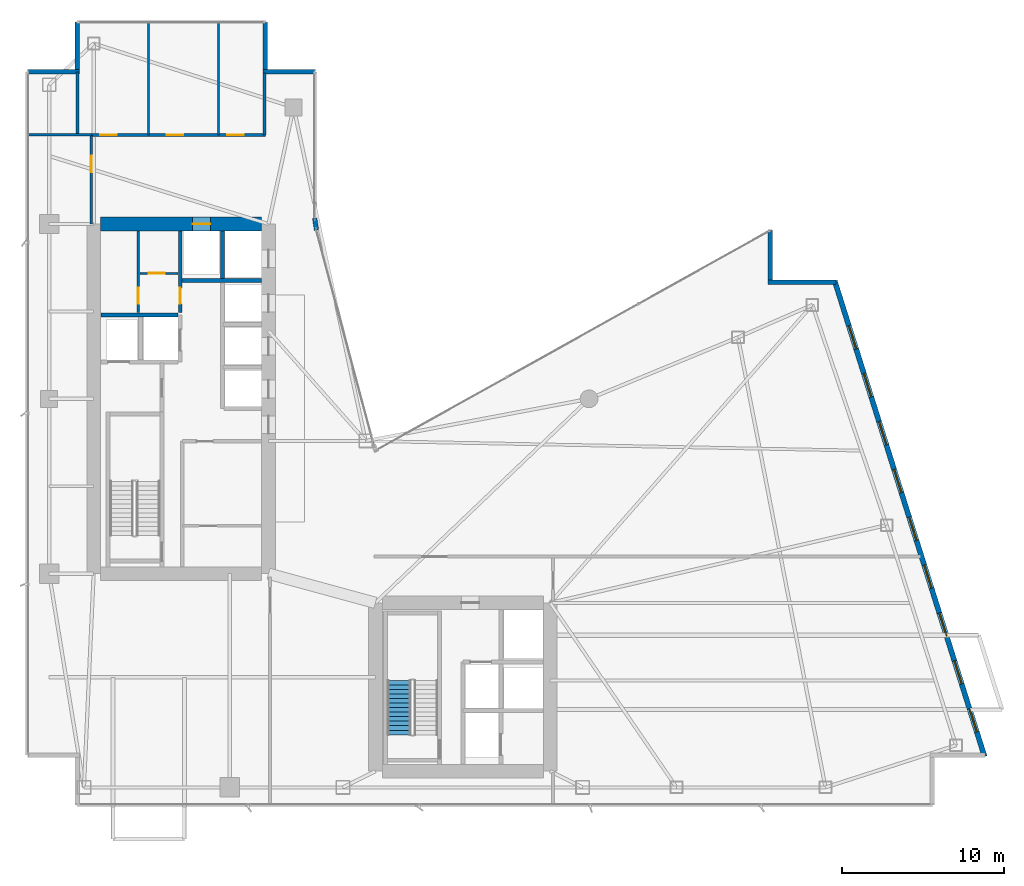
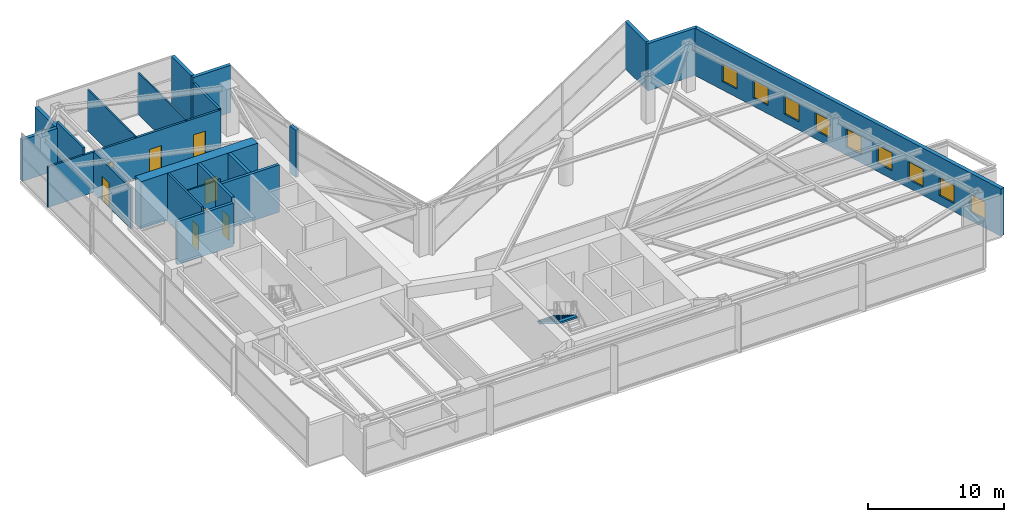
# One storey, part 22 of 26: 22 walls, 9 windows, 8 doors, 1 stair flight, 17 openings, 1 element without a shape of its own.
"""IFC4 building model written with IfcOpenShell, lengths in metres."""

from ifc_helpers import new_model, si_unit, direction, frame, frame_2d, origin, place, context, subcontext, project, spatial, polyline, rectangle, outline, extrude, material, layer, layer_set, type_object, element, fill, aggregate, save


model = new_model("IFC4")

# Units and contexts
model_context = context("Model", 3, precision=1e-05, world=origin(), true_north=direction((0.0, 1.0)))
body_context = subcontext(model_context, "Body", "Model", "MODEL_VIEW")
ifc_project = project(units=[si_unit("LENGTHUNIT", "METRE"), si_unit("AREAUNIT", "SQUARE_METRE"), si_unit("VOLUMEUNIT", "CUBIC_METRE"), si_unit("PLANEANGLEUNIT", "RADIAN"), si_unit("MASSUNIT", "GRAM", prefix="KILO")], contexts=[model_context])

# Site, building, storey
site_placement = place(None, origin())
site = spatial("IfcSite", under=ifc_project, at=site_placement, CompositionType="ELEMENT")
building_placement = place(site_placement, origin())
building = spatial("IfcBuilding", under=site, at=building_placement, Name="Calvorn Quay Hotel", CompositionType="ELEMENT")
storey_placement = place(building_placement, frame((0.0, 0.0, 144.0)))
storey = spatial("IfcBuildingStorey", under=building, at=storey_placement, Name="L35", CompositionType="ELEMENT", Elevation=144.0)

# Wall, opening, door
ifc_material_1 = material(Name="Concrete C50", Category="concrete")
ifc_layer_1 = layer(ifc_material_1, 0.85009765625)
ifc_layer_set_1 = layer_set([ifc_layer_1], Name="WL-CORE-850")
wall_type_1 = type_object("IfcWallType", Name="WL-CORE-850", PredefinedType="SHEAR", material=ifc_layer_set_1)
wall_1_placement = place(storey_placement, frame((4.625, 38.39990234375, 0.0), z_axis=(0.0, 0.0, 1.0), x_axis=(1.0, 0.0, 0.0)))
wall_1 = element("IfcWall", 1, at=wall_1_placement, inside=storey, type_object=wall_type_1, Name="West Core Shear Wall N (L35)", PredefinedType="SHEAR", context=body_context, shape_type="SweptSolid", body=[
    extrude(rectangle(XDim=9.949951171875, YDim=0.85009765625, at=frame_2d((4.97509765625, 0.0))), origin(), (0.0, 0.0, 1.0), 4.260009765625),
])
opening_1_placement = place(wall_1_placement, frame((5.679931640625, 0.0, 0.0)))
opening_1 = element("IfcOpeningElement", 2, at=opening_1_placement, cuts=wall_1, Name="Opening LD-L35-H2", PredefinedType="OPENING", context=body_context, shape_type="SweptSolid", body=[
    extrude(rectangle(XDim=1.10009765625, YDim=2.199951171875, at=frame_2d((0.550048828125, 1.10009765625))), frame((0.0, 0.43505859375, 0.0), z_axis=(0.0, -1.0, 0.0), x_axis=(1.0, 0.0, 0.0)), (0.0, 0.0, 1.0), 0.8701171875),
])
ifc_material_2 = material(Name="Brushed Stainless Steel Sliding Lift Landing Door", Category="steel")
door_type_1 = type_object("IfcDoorType", Name="DR-LIFT-PASS-1100", OperationType="NOTDEFINED", PredefinedType="DOOR", material=ifc_material_2)
door_1_placement = place(opening_1_placement, origin())
door_1 = element("IfcDoor", 3, at=door_1_placement, inside=storey, type_object=door_type_1, Name="High-Rise Lift PL-H2 Landing Door (L35)", OperationType="DOUBLE_DOOR_SLIDING", OverallHeight=2.199951171875, OverallWidth=1.10009765625, PredefinedType="DOOR", context=body_context, shape_type="SweptSolid", body=[
    extrude(rectangle(XDim=1.10009765625, YDim=2.199951171875, at=frame_2d((0.550048828125, 1.10009765625))), frame((0.0, 0.02490234375, 0.0), z_axis=(0.0, -1.0, 0.0), x_axis=(1.0, 0.0, 0.0)), (0.0, 0.0, 1.0), 0.050048828125),
])
fill(opening_1, door_1)

# Wall
ifc_material_3 = material(Name="Acoustic Fireboard Steel-Stud Partition", Category="steel")
ifc_layer_2 = layer(ifc_material_3, 0.179931640625)
ifc_layer_set_2 = layer_set([ifc_layer_2], Name="WL-CORR-FIRE-180")
wall_type_2 = type_object("IfcWallType", Name="WL-CORR-FIRE-180", PredefinedType="PARTITIONING", material=ifc_layer_set_2)
wall_2_placement = place(storey_placement, frame((3.199951171875, 43.89990234375, 0.0), z_axis=(0.0, 0.0, 1.0), x_axis=(0.0, 1.0, 0.0)))
element("IfcWall", 4, at=wall_2_placement, inside=storey, type_object=wall_type_2, Name="Partition Wall L35-WL-SK-WC-W", PredefinedType="PARTITIONING", context=body_context, shape_type="SweptSolid", body=[
    extrude(rectangle(XDim=3.900146484375, YDim=0.179931640625, at=frame_2d((1.9501953125, 0.0))), origin(), (0.0, 0.0, 1.0), 4.260009765625),
])

# Wall, openings, doors
wall_3_placement = place(storey_placement, frame((4.06005859375, 43.89990234375, 0.0), z_axis=(0.0, 0.0, 1.0), x_axis=(1.0, 0.0, 0.0)))
wall_3 = element("IfcWall", 5, at=wall_3_placement, inside=storey, type_object=wall_type_2, Name="Partition Wall L35-WL-SK-WC-S", PredefinedType="PARTITIONING", context=body_context, shape_type="SweptSolid", body=[
    extrude(rectangle(XDim=10.739990234375, YDim=0.179931640625, at=frame_2d((5.3701171875, 0.0))), origin(), (0.0, 0.0, 1.0), 3.639892578125),
])
opening_2_placement = place(wall_3_placement, frame((0.550048828125, 0.0, 0.0)))
opening_2 = element("IfcOpeningElement", 6, at=opening_2_placement, cuts=wall_3, Name="Opening D-L35-WM", PredefinedType="OPENING", context=body_context, shape_type="SweptSolid", body=[
    extrude(rectangle(XDim=1.02001953125, YDim=2.199951171875, at=frame_2d((0.510009765625, 1.10009765625))), frame((0.0, 0.099853515625, 0.0), z_axis=(0.0, -1.0, 0.0), x_axis=(1.0, 0.0, 0.0)), (0.0, 0.0, 1.0), 0.199951171875),
])
opening_3_placement = place(wall_3_placement, frame((4.64990234375, 0.0, 0.0)))
opening_3 = element("IfcOpeningElement", 7, at=opening_3_placement, cuts=wall_3, Name="Opening D-L35-WF", PredefinedType="OPENING", context=body_context, shape_type="SweptSolid", body=[
    extrude(rectangle(XDim=1.02001953125, YDim=2.199951171875, at=frame_2d((0.510009765625, 1.10009765625))), frame((0.0, 0.099853515625, 0.0), z_axis=(0.0, -1.0, 0.0), x_axis=(1.0, 0.0, 0.0)), (0.0, 0.0, 1.0), 0.199951171875),
])
opening_4_placement = place(wall_3_placement, frame((8.39990234375, 0.0, 0.0)))
opening_4 = element("IfcOpeningElement", 8, at=opening_4_placement, cuts=wall_3, Name="Opening D-L35-WA", PredefinedType="OPENING", context=body_context, shape_type="SweptSolid", body=[
    extrude(rectangle(XDim=1.02001953125, YDim=2.199951171875, at=frame_2d((0.510009765625, 1.10009765625))), frame((0.0, 0.099853515625, 0.0), z_axis=(0.0, -1.0, 0.0), x_axis=(1.0, 0.0, 0.0)), (0.0, 0.0, 1.0), 0.199951171875),
])
ifc_material_4 = material(Name="Solid-Core Walnut Veneer Hotel Fire Door")
door_type_2 = type_object("IfcDoorType", Name="DR-GUEST-ENTRY-1020", OperationType="NOTDEFINED", PredefinedType="DOOR", material=ifc_material_4)
door_2_placement = place(opening_2_placement, origin())
door_2 = element("IfcDoor", 9, at=door_2_placement, inside=storey, type_object=door_type_2, Name="Male WC Door", OperationType="SINGLE_SWING_LEFT", OverallHeight=2.199951171875, OverallWidth=1.02001953125, PredefinedType="DOOR", context=body_context, shape_type="SweptSolid", body=[
    extrude(rectangle(XDim=1.02001953125, YDim=2.199951171875, at=frame_2d((0.510009765625, 1.10009765625))), frame((0.0, 0.02490234375, 0.0), z_axis=(0.0, -1.0, 0.0), x_axis=(1.0, 0.0, 0.0)), (0.0, 0.0, 1.0), 0.050048828125),
])
fill(opening_2, door_2)
door_3_placement = place(opening_3_placement, origin())
door_3 = element("IfcDoor", 10, at=door_3_placement, inside=storey, type_object=door_type_2, Name="Female WC Door", OperationType="SINGLE_SWING_RIGHT", OverallHeight=2.199951171875, OverallWidth=1.02001953125, PredefinedType="DOOR", context=body_context, shape_type="SweptSolid", body=[
    extrude(rectangle(XDim=1.02001953125, YDim=2.199951171875, at=frame_2d((0.510009765625, 1.10009765625))), frame((0.0, 0.02490234375, 0.0), z_axis=(0.0, -1.0, 0.0), x_axis=(1.0, 0.0, 0.0)), (0.0, 0.0, 1.0), 0.050048828125),
])
fill(opening_3, door_3)
door_4_placement = place(opening_4_placement, origin())
door_4 = element("IfcDoor", 11, at=door_4_placement, inside=storey, type_object=door_type_2, Name="Accessible WC Door", OperationType="SINGLE_SWING_LEFT", OverallHeight=2.199951171875, OverallWidth=1.02001953125, PredefinedType="DOOR", context=body_context, shape_type="SweptSolid", body=[
    extrude(rectangle(XDim=1.02001953125, YDim=2.199951171875, at=frame_2d((0.510009765625, 1.10009765625))), frame((0.0, 0.02490234375, 0.0), z_axis=(0.0, -1.0, 0.0), x_axis=(1.0, 0.0, 0.0)), (0.0, 0.0, 1.0), 0.050048828125),
])
fill(opening_4, door_4)

# Wall
wall_4_placement = place(storey_placement, frame((14.75, 43.89990234375, 0.0), z_axis=(0.0, 0.0, 1.0), x_axis=(0.0, 1.0, 0.0)))
element("IfcWall", 12, at=wall_4_placement, inside=storey, type_object=wall_type_2, Name="Partition Wall L35-WL-SK-WC-E", PredefinedType="PARTITIONING", context=body_context, shape_type="SweptSolid", body=[
    extrude(rectangle(XDim=3.820068359375, YDim=0.179931640625, at=frame_2d((1.91015625, 0.0))), origin(), (0.0, 0.0, 1.0), 3.739990234375),
])

# Wall, opening, door
ifc_material_5 = material(Name="Moisture-Resistant Tile-Backed Partition")
ifc_layer_3 = layer(ifc_material_5, 0.125)
ifc_layer_set_3 = layer_set([ifc_layer_3], Name="WL-ENSUITE-125")
wall_type_3 = type_object("IfcWallType", Name="WL-ENSUITE-125", PredefinedType="PARTITIONING", material=ifc_layer_set_3)
wall_5_placement = place(storey_placement, frame((7.050048828125, 35.35009765625, 0.0), z_axis=(0.0, 0.0, 1.0), x_axis=(1.0, 0.0, 0.0)))
wall_5 = element("IfcWall", 13, at=wall_5_placement, inside=storey, type_object=wall_type_3, Name="Partition Wall L35-WL-CWW-K-H", PredefinedType="PARTITIONING", context=body_context, shape_type="SweptSolid", body=[
    extrude(rectangle(XDim=2.369873046875, YDim=0.125, at=frame_2d((1.18505859375, 0.0))), origin(), (0.0, 0.0, 1.0), 4.260009765625),
])
opening_5_placement = place(wall_5_placement, frame((0.550048828125, 0.0, 0.0)))
opening_5 = element("IfcOpeningElement", 14, at=opening_5_placement, cuts=wall_5, Name="Opening D-L35-CK3", PredefinedType="OPENING", context=body_context, shape_type="SweptSolid", body=[
    extrude(rectangle(XDim=0.97998046875, YDim=2.14990234375, at=frame_2d((0.489990234375, 1.074951171875))), frame((0.0, 0.072509765625, 0.0), z_axis=(0.0, -1.0, 0.0), x_axis=(1.0, 0.0, 0.0)), (0.0, 0.0, 1.0), 0.14501953125),
])
ifc_material_6 = material(Name="Painted Steel Housekeeping/Riser Fire Door", Category="steel")
door_type_3 = type_object("IfcDoorType", Name="DR-SERVICE-980", OperationType="NOTDEFINED", PredefinedType="DOOR", material=ifc_material_6)
door_5_placement = place(opening_5_placement, origin())
door_5 = element("IfcDoor", 15, at=door_5_placement, inside=storey, type_object=door_type_3, Name="Telecom Closet Door (L35)", OperationType="SINGLE_SWING_RIGHT", OverallHeight=2.14990234375, OverallWidth=0.97998046875, PredefinedType="DOOR", context=body_context, shape_type="SweptSolid", body=[
    extrude(rectangle(XDim=0.97998046875, YDim=2.14990234375, at=frame_2d((0.489990234375, 1.074951171875))), frame((0.0, 0.02490234375, 0.0), z_axis=(0.0, -1.0, 0.0), x_axis=(1.0, 0.0, 0.0)), (0.0, 0.0, 1.0), 0.050048828125),
])
fill(opening_5, door_5)

# Walls
for number, where, z_axis, x_axis, name in (
    (16, (7.60009765625, 43.89990234375, 0.0), (0.0, 0.0, 1.0), (0.0, 1.0, 0.0), "Partition Wall L35-WL-SK-WC-D1"),
    (17, (11.89990234375, 43.89990234375, 0.0), (0.0, 0.0, 1.0), (0.0, 1.0, 0.0), "Partition Wall L35-WL-SK-WC-D2"),
):
    element("IfcWall", number, at=place(storey_placement, frame(where, z_axis=z_axis, x_axis=x_axis)), inside=storey, type_object=wall_type_3, Name=name, PredefinedType="PARTITIONING", context=body_context, shape_type="SweptSolid", body=[
        extrude(rectangle(XDim=7.0400390625, YDim=0.125, at=frame_2d((3.52001953125, 0.0))), origin(), (0.0, 0.0, 1.0), 3.739990234375),
    ])
ifc_material_7 = material(Name="Concrete C40", Category="concrete")
ifc_layer_4 = layer(ifc_material_7, 0.320068359375)
ifc_layer_set_4 = layer_set([ifc_layer_4], Name="WL-EXT-SPANDREL-320")
wall_type_4 = type_object("IfcWallType", Name="WL-EXT-SPANDREL-320", PredefinedType="SOLIDWALL", material=ifc_layer_set_4)
wall_6_placement = place(storey_placement, frame((17.9619140625, 38.030029296875, 0.0), z_axis=(0.0, 0.0, 1.0), x_axis=(-0.15141125477, 0.988470855377, 0.0)))
element("IfcWall", 18, at=wall_6_placement, inside=storey, type_object=wall_type_4, Name="Inner Court Corner Pier L35-ICJ2", PredefinedType="SOLIDWALL", context=body_context, shape_type="SweptSolid", body=[
    extrude(rectangle(XDim=0.738525390625, YDim=0.280029296875, at=frame_2d((0.369140625, 0.0))), origin(), (0.0, 0.0, 1.0), 4.260009765625),
])
wall_7_placement = place(storey_placement, frame((50.0400390625, 34.800048828125, 0.0), z_axis=(0.0, 0.0, 1.0), x_axis=(-1.0, 0.0, 0.0)))
element("IfcWall", 19, at=wall_7_placement, inside=storey, type_object=wall_type_4, Name="Notched Corner Spandrel L35-NE1", PredefinedType="SOLIDWALL", context=body_context, shape_type="SweptSolid", body=[
    extrude(rectangle(XDim=4.179931640625, YDim=0.280029296875, at=frame_2d((2.08984375, 0.0))), origin(), (0.0, 0.0, 1.0), 4.260009765625),
])
wall_8_placement = place(storey_placement, frame((46.0, 34.93994140625, 0.0), z_axis=(0.0, 0.0, 1.0), x_axis=(0.0, 1.0, 0.0)))
element("IfcWall", 20, at=wall_8_placement, inside=storey, type_object=wall_type_4, Name="Notched Corner Spandrel L35-NE2", PredefinedType="SOLIDWALL", context=body_context, shape_type="SweptSolid", body=[
    extrude(rectangle(XDim=3.10009765625, YDim=0.280029296875, at=frame_2d((1.550048828125, 0.0))), origin(), (0.0, 0.0, 1.0), 4.260009765625),
])
wall_9_placement = place(storey_placement, frame((17.89990234375, 47.800048828125, 0.0), z_axis=(0.0, 0.0, 1.0), x_axis=(-1.0, 0.0, 0.0)))
element("IfcWall", 21, at=wall_9_placement, inside=storey, type_object=wall_type_4, Name="Notched Corner Spandrel L35-NWE1", PredefinedType="SOLIDWALL", context=body_context, shape_type="SweptSolid", body=[
    extrude(rectangle(XDim=3.239990234375, YDim=0.280029296875, at=frame_2d((1.6201171875, 0.0))), origin(), (0.0, 0.0, 1.0), 4.260009765625),
])
wall_10_placement = place(storey_placement, frame((14.800048828125, 47.93994140625, 0.0), z_axis=(0.0, 0.0, 1.0), x_axis=(0.0, 1.0, 0.0)))
element("IfcWall", 22, at=wall_10_placement, inside=storey, type_object=wall_type_4, Name="Notched Corner Spandrel L35-NWE2", PredefinedType="SOLIDWALL", context=body_context, shape_type="SweptSolid", body=[
    extrude(rectangle(XDim=2.93994140625, YDim=0.280029296875, at=frame_2d((1.469970703125, 0.0))), origin(), (0.0, 0.0, 1.0), 4.260009765625),
])
wall_11_placement = place(storey_placement, frame((3.199951171875, 50.8798828125, 0.0), z_axis=(0.0, 0.0, 1.0), x_axis=(0.0, -1.0, 0.0)))
element("IfcWall", 23, at=wall_11_placement, inside=storey, type_object=wall_type_4, Name="Notched Corner Spandrel L35-NW1", PredefinedType="SOLIDWALL", context=body_context, shape_type="SweptSolid", body=[
    extrude(rectangle(XDim=2.93994140625, YDim=0.280029296875, at=frame_2d((1.469970703125, 0.0))), origin(), (0.0, 0.0, 1.0), 3.739990234375),
])
wall_12_placement = place(storey_placement, frame((3.340087890625, 47.800048828125, 0.0), z_axis=(0.0, 0.0, 1.0), x_axis=(-1.0, 0.0, 0.0)))
element("IfcWall", 24, at=wall_12_placement, inside=storey, type_object=wall_type_4, Name="Notched Corner Spandrel L35-NW2", PredefinedType="SOLIDWALL", context=body_context, shape_type="SweptSolid", body=[
    extrude(rectangle(XDim=3.219970703125, YDim=0.280029296875, at=frame_2d((1.60986328125, 0.0))), origin(), (0.0, 0.0, 1.0), 3.739990234375),
])

# Wall, openings, windows
wall_13_placement = place(storey_placement, frame((59.22998046875, 5.5048828125, 0.0), z_axis=(0.0, 0.0, 1.0), x_axis=(-0.300509063924, 0.953778958931, 0.0)))
wall_13 = element("IfcWall", 25, at=wall_13_placement, inside=storey, type_object=wall_type_4, Name="East Stepped Waterfront Exterior Wall (L35)", PredefinedType="SOLIDWALL", context=body_context, shape_type="SweptSolid", body=[
    extrude(rectangle(XDim=30.814453125, YDim=0.320068359375, at=frame_2d((15.4072265625, 0.0))), origin(), (0.0, 0.0, 1.0), 4.260009765625),
])
opening_6_placement = place(wall_13_placement, frame((1.60009765625, 0.0, 0.75)))
opening_6 = element("IfcOpeningElement", 26, at=opening_6_placement, cuts=wall_13, Name="Opening WG-L35-E1", PredefinedType="OPENING", context=body_context, shape_type="SweptSolid", body=[
    extrude(rectangle(XDim=1.5, YDim=1.60009765625, at=frame_2d((0.75, 0.800048828125))), frame((0.0, 0.169921875, 0.0), z_axis=(0.0, -1.0, 0.0), x_axis=(1.0, 0.0, 0.0)), (0.0, 0.0, 1.0), 0.340087890625),
])
opening_7_placement = place(wall_13_placement, frame((4.699951171875, 0.0, 0.75)))
opening_7 = element("IfcOpeningElement", 27, at=opening_7_placement, cuts=wall_13, Name="Opening WG-L35-E2", PredefinedType="OPENING", context=body_context, shape_type="SweptSolid", body=[
    extrude(rectangle(XDim=1.5, YDim=1.60009765625, at=frame_2d((0.75, 0.800048828125))), frame((0.0, 0.169921875, 0.0), z_axis=(0.0, -1.0, 0.0), x_axis=(1.0, 0.0, 0.0)), (0.0, 0.0, 1.0), 0.340087890625),
])
opening_8_placement = place(wall_13_placement, frame((7.800048828125, 0.0, 0.75)))
opening_8 = element("IfcOpeningElement", 28, at=opening_8_placement, cuts=wall_13, Name="Opening WG-L35-E3", PredefinedType="OPENING", context=body_context, shape_type="SweptSolid", body=[
    extrude(rectangle(XDim=1.5, YDim=1.60009765625, at=frame_2d((0.75, 0.800048828125))), frame((0.0, 0.169921875, 0.0), z_axis=(0.0, -1.0, 0.0), x_axis=(1.0, 0.0, 0.0)), (0.0, 0.0, 1.0), 0.340087890625),
])
opening_9_placement = place(wall_13_placement, frame((10.89990234375, 0.0, 0.75)))
opening_9 = element("IfcOpeningElement", 29, at=opening_9_placement, cuts=wall_13, Name="Opening WG-L35-E4", PredefinedType="OPENING", context=body_context, shape_type="SweptSolid", body=[
    extrude(rectangle(XDim=1.5, YDim=1.60009765625, at=frame_2d((0.75, 0.800048828125))), frame((0.0, 0.169921875, 0.0), z_axis=(0.0, -1.0, 0.0), x_axis=(1.0, 0.0, 0.0)), (0.0, 0.0, 1.0), 0.340087890625),
])
opening_10_placement = place(wall_13_placement, frame((14.0, 0.0, 0.75)))
opening_10 = element("IfcOpeningElement", 30, at=opening_10_placement, cuts=wall_13, Name="Opening WG-L35-E5", PredefinedType="OPENING", context=body_context, shape_type="SweptSolid", body=[
    extrude(rectangle(XDim=1.5, YDim=1.60009765625, at=frame_2d((0.75, 0.800048828125))), frame((0.0, 0.169921875, 0.0), z_axis=(0.0, -1.0, 0.0), x_axis=(1.0, 0.0, 0.0)), (0.0, 0.0, 1.0), 0.340087890625),
])
opening_11_placement = place(wall_13_placement, frame((17.10009765625, 0.0, 0.75)))
opening_11 = element("IfcOpeningElement", 31, at=opening_11_placement, cuts=wall_13, Name="Opening WG-L35-E6", PredefinedType="OPENING", context=body_context, shape_type="SweptSolid", body=[
    extrude(rectangle(XDim=1.5, YDim=1.60009765625, at=frame_2d((0.75, 0.800048828125))), frame((0.0, 0.169921875, 0.0), z_axis=(0.0, -1.0, 0.0), x_axis=(1.0, 0.0, 0.0)), (0.0, 0.0, 1.0), 0.340087890625),
])
opening_12_placement = place(wall_13_placement, frame((20.199951171875, 0.0, 0.75)))
opening_12 = element("IfcOpeningElement", 32, at=opening_12_placement, cuts=wall_13, Name="Opening WG-L35-E7", PredefinedType="OPENING", context=body_context, shape_type="SweptSolid", body=[
    extrude(rectangle(XDim=1.5, YDim=1.60009765625, at=frame_2d((0.75, 0.800048828125))), frame((0.0, 0.169921875, 0.0), z_axis=(0.0, -1.0, 0.0), x_axis=(1.0, 0.0, 0.0)), (0.0, 0.0, 1.0), 0.340087890625),
])
opening_13_placement = place(wall_13_placement, frame((23.300048828125, 0.0, 0.75)))
opening_13 = element("IfcOpeningElement", 33, at=opening_13_placement, cuts=wall_13, Name="Opening WG-L35-E8", PredefinedType="OPENING", context=body_context, shape_type="SweptSolid", body=[
    extrude(rectangle(XDim=1.5, YDim=1.60009765625, at=frame_2d((0.75, 0.800048828125))), frame((0.0, 0.169921875, 0.0), z_axis=(0.0, -1.0, 0.0), x_axis=(1.0, 0.0, 0.0)), (0.0, 0.0, 1.0), 0.340087890625),
])
opening_14_placement = place(wall_13_placement, frame((26.39990234375, 0.0, 0.75)))
opening_14 = element("IfcOpeningElement", 34, at=opening_14_placement, cuts=wall_13, Name="Opening WG-L35-E9", PredefinedType="OPENING", context=body_context, shape_type="SweptSolid", body=[
    extrude(rectangle(XDim=1.5, YDim=1.60009765625, at=frame_2d((0.75, 0.800048828125))), frame((0.0, 0.169921875, 0.0), z_axis=(0.0, -1.0, 0.0), x_axis=(1.0, 0.0, 0.0)), (0.0, 0.0, 1.0), 0.340087890625),
])
ifc_material_8 = material(Name="Self-Closing Class B Fire Window")
window_type = type_object("IfcWindowType", Name="WIN-REFUGE-1500x1600", PartitioningType="SINGLE_PANEL", PredefinedType="WINDOW", material=ifc_material_8)
window_1_placement = place(opening_6_placement, origin())
window_1 = element("IfcWindow", 35, at=window_1_placement, inside=storey, type_object=window_type, Name="East Facade Window L35-E1", OverallHeight=1.60009765625, OverallWidth=1.5, PartitioningType="SINGLE_PANEL", PredefinedType="WINDOW", context=body_context, shape_type="SweptSolid", body=[
    extrude(rectangle(XDim=1.5, YDim=1.60009765625, at=frame_2d((0.75, 0.800048828125))), frame((0.0, 0.030029296875, 0.0), z_axis=(0.0, -1.0, 0.0), x_axis=(1.0, 0.0, 0.0)), (0.0, 0.0, 1.0), 0.06005859375),
])
fill(opening_6, window_1)
window_2_placement = place(opening_7_placement, origin())
window_2 = element("IfcWindow", 36, at=window_2_placement, inside=storey, type_object=window_type, Name="East Facade Window L35-E2", OverallHeight=1.60009765625, OverallWidth=1.5, PartitioningType="SINGLE_PANEL", PredefinedType="WINDOW", context=body_context, shape_type="SweptSolid", body=[
    extrude(rectangle(XDim=1.5, YDim=1.60009765625, at=frame_2d((0.75, 0.800048828125))), frame((0.0, 0.030029296875, 0.0), z_axis=(0.0, -1.0, 0.0), x_axis=(1.0, 0.0, 0.0)), (0.0, 0.0, 1.0), 0.06005859375),
])
fill(opening_7, window_2)
window_3_placement = place(opening_8_placement, origin())
window_3 = element("IfcWindow", 37, at=window_3_placement, inside=storey, type_object=window_type, Name="East Facade Window L35-E3", OverallHeight=1.60009765625, OverallWidth=1.5, PartitioningType="SINGLE_PANEL", PredefinedType="WINDOW", context=body_context, shape_type="SweptSolid", body=[
    extrude(rectangle(XDim=1.5, YDim=1.60009765625, at=frame_2d((0.75, 0.800048828125))), frame((0.0, 0.030029296875, 0.0), z_axis=(0.0, -1.0, 0.0), x_axis=(1.0, 0.0, 0.0)), (0.0, 0.0, 1.0), 0.06005859375),
])
fill(opening_8, window_3)
window_4_placement = place(opening_9_placement, origin())
window_4 = element("IfcWindow", 38, at=window_4_placement, inside=storey, type_object=window_type, Name="East Facade Window L35-E4", OverallHeight=1.60009765625, OverallWidth=1.5, PartitioningType="SINGLE_PANEL", PredefinedType="WINDOW", context=body_context, shape_type="SweptSolid", body=[
    extrude(rectangle(XDim=1.5, YDim=1.60009765625, at=frame_2d((0.75, 0.800048828125))), frame((0.0, 0.030029296875, 0.0), z_axis=(0.0, -1.0, 0.0), x_axis=(1.0, 0.0, 0.0)), (0.0, 0.0, 1.0), 0.06005859375),
])
fill(opening_9, window_4)
window_5_placement = place(opening_10_placement, origin())
window_5 = element("IfcWindow", 39, at=window_5_placement, inside=storey, type_object=window_type, Name="East Facade Window L35-E5", OverallHeight=1.60009765625, OverallWidth=1.5, PartitioningType="SINGLE_PANEL", PredefinedType="WINDOW", context=body_context, shape_type="SweptSolid", body=[
    extrude(rectangle(XDim=1.5, YDim=1.60009765625, at=frame_2d((0.75, 0.800048828125))), frame((0.0, 0.030029296875, 0.0), z_axis=(0.0, -1.0, 0.0), x_axis=(1.0, 0.0, 0.0)), (0.0, 0.0, 1.0), 0.06005859375),
])
fill(opening_10, window_5)
window_6_placement = place(opening_11_placement, origin())
window_6 = element("IfcWindow", 40, at=window_6_placement, inside=storey, type_object=window_type, Name="East Facade Window L35-E6", OverallHeight=1.60009765625, OverallWidth=1.5, PartitioningType="SINGLE_PANEL", PredefinedType="WINDOW", context=body_context, shape_type="SweptSolid", body=[
    extrude(rectangle(XDim=1.5, YDim=1.60009765625, at=frame_2d((0.75, 0.800048828125))), frame((0.0, 0.030029296875, 0.0), z_axis=(0.0, -1.0, 0.0), x_axis=(1.0, 0.0, 0.0)), (0.0, 0.0, 1.0), 0.06005859375),
])
fill(opening_11, window_6)
window_7_placement = place(opening_12_placement, origin())
window_7 = element("IfcWindow", 41, at=window_7_placement, inside=storey, type_object=window_type, Name="East Facade Window L35-E7", OverallHeight=1.60009765625, OverallWidth=1.5, PartitioningType="SINGLE_PANEL", PredefinedType="WINDOW", context=body_context, shape_type="SweptSolid", body=[
    extrude(rectangle(XDim=1.5, YDim=1.60009765625, at=frame_2d((0.75, 0.800048828125))), frame((0.0, 0.030029296875, 0.0), z_axis=(0.0, -1.0, 0.0), x_axis=(1.0, 0.0, 0.0)), (0.0, 0.0, 1.0), 0.06005859375),
])
fill(opening_12, window_7)
window_8_placement = place(opening_13_placement, origin())
window_8 = element("IfcWindow", 42, at=window_8_placement, inside=storey, type_object=window_type, Name="East Facade Window L35-E8", OverallHeight=1.60009765625, OverallWidth=1.5, PartitioningType="SINGLE_PANEL", PredefinedType="WINDOW", context=body_context, shape_type="SweptSolid", body=[
    extrude(rectangle(XDim=1.5, YDim=1.60009765625, at=frame_2d((0.75, 0.800048828125))), frame((0.0, 0.030029296875, 0.0), z_axis=(0.0, -1.0, 0.0), x_axis=(1.0, 0.0, 0.0)), (0.0, 0.0, 1.0), 0.06005859375),
])
fill(opening_13, window_8)
window_9_placement = place(opening_14_placement, origin())
window_9 = element("IfcWindow", 43, at=window_9_placement, inside=storey, type_object=window_type, Name="East Facade Window L35-E9", OverallHeight=1.60009765625, OverallWidth=1.5, PartitioningType="SINGLE_PANEL", PredefinedType="WINDOW", context=body_context, shape_type="SweptSolid", body=[
    extrude(rectangle(XDim=1.5, YDim=1.60009765625, at=frame_2d((0.75, 0.800048828125))), frame((0.0, 0.030029296875, 0.0), z_axis=(0.0, -1.0, 0.0), x_axis=(1.0, 0.0, 0.0)), (0.0, 0.0, 1.0), 0.06005859375),
])
fill(opening_14, window_9)

# Wall, opening, door
ifc_material_9 = material(Name="Double-Stud Acoustic Gypsum Partition")
ifc_layer_5 = layer(ifc_material_9, 0.159912109375)
ifc_layer_set_5 = layer_set([ifc_layer_5], Name="WL-INTERSUITE-160")
wall_type_5 = type_object("IfcWallType", Name="WL-INTERSUITE-160", PredefinedType="PARTITIONING", material=ifc_layer_set_5)
wall_14_placement = place(storey_placement, frame((6.949951171875, 32.919921875, 0.0), z_axis=(0.0, 0.0, 1.0), x_axis=(0.0, 1.0, 0.0)))
wall_14 = element("IfcWall", 44, at=wall_14_placement, inside=storey, type_object=wall_type_5, Name="Partition Wall L35-WL-CWW-K-V", PredefinedType="PARTITIONING", context=body_context, shape_type="SweptSolid", body=[
    extrude(rectangle(XDim=5.03515625, YDim=0.159912109375, at=frame_2d((2.517578125, 0.0))), origin(), (0.0, 0.0, 1.0), 4.260009765625),
])
opening_15_placement = place(wall_14_placement, frame((0.550048828125, 0.0, 0.0)))
opening_15 = element("IfcOpeningElement", 45, at=opening_15_placement, cuts=wall_14, Name="Opening D-L35-CK1", PredefinedType="OPENING", context=body_context, shape_type="SweptSolid", body=[
    extrude(rectangle(XDim=0.97998046875, YDim=2.14990234375, at=frame_2d((0.489990234375, 1.074951171875))), frame((0.0, 0.08984375, 0.0), z_axis=(0.0, -1.0, 0.0), x_axis=(1.0, 0.0, 0.0)), (0.0, 0.0, 1.0), 0.179931640625),
])
door_6_placement = place(opening_15_placement, origin())
door_6 = element("IfcDoor", 46, at=door_6_placement, inside=storey, type_object=door_type_3, Name="Pipe Riser Door (L35)", OperationType="SINGLE_SWING_LEFT", OverallHeight=2.14990234375, OverallWidth=0.97998046875, PredefinedType="DOOR", context=body_context, shape_type="SweptSolid", body=[
    extrude(rectangle(XDim=0.97998046875, YDim=2.14990234375, at=frame_2d((0.489990234375, 1.074951171875))), frame((0.0, 0.02490234375, 0.0), z_axis=(0.0, -1.0, 0.0), x_axis=(1.0, 0.0, 0.0)), (0.0, 0.0, 1.0), 0.050048828125),
])
fill(opening_15, door_6)

wall_15_placement = place(storey_placement, frame((4.06005859375, 38.39990234375, 0.0), z_axis=(0.0, 0.0, 1.0), x_axis=(0.0, 1.0, 0.0)))
wall_15 = element("IfcWall", 47, at=wall_15_placement, inside=storey, type_object=wall_type_5, Name="Partition Wall L35-WL-SK-WV-E", PredefinedType="PARTITIONING", context=body_context, shape_type="SweptSolid", body=[
    extrude(rectangle(XDim=5.5, YDim=0.159912109375, at=frame_2d((2.75, 0.0))), origin(), (0.0, 0.0, 1.0), 3.639892578125),
])
opening_16_placement = place(wall_15_placement, frame((3.199951171875, 0.0, 0.0)))
opening_16 = element("IfcOpeningElement", 48, at=opening_16_placement, cuts=wall_15, Name="Opening D-L35-WV", PredefinedType="OPENING", context=body_context, shape_type="SweptSolid", body=[
    extrude(rectangle(XDim=1.02001953125, YDim=2.199951171875, at=frame_2d((0.510009765625, 1.10009765625))), frame((0.0, 0.08984375, 0.0), z_axis=(0.0, -1.0, 0.0), x_axis=(1.0, 0.0, 0.0)), (0.0, 0.0, 1.0), 0.179931640625),
])
door_7_placement = place(opening_16_placement, origin())
door_7 = element("IfcDoor", 49, at=door_7_placement, inside=storey, type_object=door_type_2, Name="West Viewing Lounge Door", OperationType="SINGLE_SWING_LEFT", OverallHeight=2.199951171875, OverallWidth=1.02001953125, PredefinedType="DOOR", context=body_context, shape_type="SweptSolid", body=[
    extrude(rectangle(XDim=1.02001953125, YDim=2.199951171875, at=frame_2d((0.510009765625, 1.10009765625))), frame((0.0, 0.02490234375, 0.0), z_axis=(0.0, -1.0, 0.0), x_axis=(1.0, 0.0, 0.0)), (0.0, 0.0, 1.0), 0.050048828125),
])
fill(opening_16, door_7)

# Wall
wall_16_placement = place(storey_placement, frame((0.080078125, 43.89990234375, 0.0), z_axis=(0.0, 0.0, 1.0), x_axis=(1.0, 0.0, 0.0)))
element("IfcWall", 50, at=wall_16_placement, inside=storey, type_object=wall_type_5, Name="Partition Wall L35-WL-SK-WV-N", PredefinedType="PARTITIONING", context=body_context, shape_type="SweptSolid", body=[
    extrude(rectangle(XDim=3.97998046875, YDim=0.159912109375, at=frame_2d((1.989990234375, 0.0))), origin(), (0.0, 0.0, 1.0), 3.639892578125),
])

# Wall, opening, door
ifc_material_10 = material(Name="Autoclaved Aerated Masonry Block", Category="masonry")
ifc_layer_6 = layer(ifc_material_10, 0.219970703125)
ifc_layer_set_6 = layer_set([ifc_layer_6], Name="WL-LOBBY-FIRE-220")
wall_type_6 = type_object("IfcWallType", Name="WL-LOBBY-FIRE-220", PredefinedType="SOLIDWALL", material=ifc_layer_set_6)
wall_17_placement = place(storey_placement, frame((9.5400390625, 32.919921875, 0.0), z_axis=(0.0, 0.0, 1.0), x_axis=(0.0, 1.0, 0.0)))
wall_17 = element("IfcWall", 51, at=wall_17_placement, inside=storey, type_object=wall_type_6, Name="Partition Wall L35-WL-CWW-K-E", PredefinedType="SOLIDWALL", context=body_context, shape_type="SweptSolid", body=[
    extrude(rectangle(XDim=5.03515625, YDim=0.219970703125, at=frame_2d((2.517578125, 0.0))), origin(), (0.0, 0.0, 1.0), 4.260009765625),
])
opening_17_placement = place(wall_17_placement, frame((0.550048828125, 0.0, 0.0)))
opening_17 = element("IfcOpeningElement", 52, at=opening_17_placement, cuts=wall_17, Name="Opening D-L35-CK2", PredefinedType="OPENING", context=body_context, shape_type="SweptSolid", body=[
    extrude(rectangle(XDim=0.97998046875, YDim=2.14990234375, at=frame_2d((0.489990234375, 1.074951171875))), frame((0.0, 0.119873046875, 0.0), z_axis=(0.0, -1.0, 0.0), x_axis=(1.0, 0.0, 0.0)), (0.0, 0.0, 1.0), 0.239990234375),
])
door_8_placement = place(opening_17_placement, origin())
door_8 = element("IfcDoor", 53, at=door_8_placement, inside=storey, type_object=door_type_3, Name="Valet Closet Door (L35)", OperationType="SINGLE_SWING_LEFT", OverallHeight=2.14990234375, OverallWidth=0.97998046875, PredefinedType="DOOR", context=body_context, shape_type="SweptSolid", body=[
    extrude(rectangle(XDim=0.97998046875, YDim=2.14990234375, at=frame_2d((0.489990234375, 1.074951171875))), frame((0.0, 0.02490234375, 0.0), z_axis=(0.0, -1.0, 0.0), x_axis=(1.0, 0.0, 0.0)), (0.0, 0.0, 1.0), 0.050048828125),
])
fill(opening_17, door_8)

# Walls
ifc_material_11 = material(Name="Concrete C40", Category="concrete")
ifc_layer_7 = layer(ifc_material_11, 0.239990234375)
ifc_layer_set_7 = layer_set([ifc_layer_7], Name="WL-SHAFT-240")
wall_type_7 = type_object("IfcWallType", Name="WL-SHAFT-240", PredefinedType="SOLIDWALL", material=ifc_layer_set_7)
wall_18_placement = place(storey_placement, frame((4.64501953125, 32.780029296875, 0.0), z_axis=(0.0, 0.0, 1.0), x_axis=(1.0, 0.0, 0.0)))
element("IfcWall", 54, at=wall_18_placement, inside=storey, type_object=wall_type_7, Name="Partition Wall L35-WL-CWW-SLW-N", PredefinedType="SOLIDWALL", context=body_context, shape_type="SweptSolid", body=[
    extrude(rectangle(XDim=4.77490234375, YDim=0.239990234375, at=frame_2d((2.387451171875, 0.0))), origin(), (0.0, 0.0, 1.0), 3.889892578125),
])
wall_19_placement = place(storey_placement, frame((9.659912109375, 34.89990234375, 0.0), z_axis=(0.0, 0.0, 1.0), x_axis=(1.0, 0.0, 0.0)))
element("IfcWall", 55, at=wall_19_placement, inside=storey, type_object=wall_type_7, Name="Partition Wall L35-WL-CWW-PLH-S", PredefinedType="SOLIDWALL", context=body_context, shape_type="SweptSolid", body=[
    extrude(rectangle(XDim=4.89501953125, YDim=0.239990234375, at=frame_2d((2.447509765625, 0.0))), origin(), (0.0, 0.0, 1.0), 4.260009765625),
])
wall_20_placement = place(storey_placement, frame((12.14990234375, 35.02001953125, 0.0), z_axis=(0.0, 0.0, 1.0), x_axis=(0.0, 1.0, 0.0)))
element("IfcWall", 56, at=wall_20_placement, inside=storey, type_object=wall_type_7, Name="Partition Wall L35-WL-CWW-PLH-DIV", PredefinedType="SOLIDWALL", context=body_context, shape_type="SweptSolid", body=[
    extrude(rectangle(XDim=2.93505859375, YDim=0.239990234375, at=frame_2d((1.467529296875, 0.0))), origin(), (0.0, 0.0, 1.0), 4.260009765625),
])

# Stair, stair flight
ifc_material_12 = material(Name="Concrete C40", Category="concrete")
stair_type = type_object("IfcStairType", Name="STR-CORE-DOGLEG", PredefinedType="HALF_TURN_STAIR", material=ifc_material_12)
stair_placement = place(storey_placement, origin())
stair = element("IfcStair", 57, at=stair_placement, inside=storey, type_object=stair_type, Name="L35 ST-E", PredefinedType="HALF_TURN_STAIR")
ifc_material_13 = material(Name="Concrete C40", Category="concrete")
stair_flight_type = type_object("IfcStairFlightType", Name="FLT-CORE-1550", PredefinedType="STRAIGHT", material=ifc_material_13)
stair_flight_placement = place(storey_placement, frame((23.074951171875, 10.2099609375, 2.25), z_axis=(0.0, 0.0, 1.0), x_axis=(0.0, -1.0, 0.0)))
stair_flight = element("IfcStairFlight", 58, at=stair_flight_placement, type_object=stair_flight_type, Name="ST-E flight 2", NumberOfRisers=13, NumberOfTreads=12, PredefinedType="STRAIGHT", RiserHeight=0.173076923, TreadLength=0.28, context=body_context, shape_type="SweptSolid", body=[
    extrude(outline(polyline([(0.0, 0.0), (0.0, 0.173095703125), (0.280029296875, 0.173095703125), (0.280029296875, 0.34619140625), (0.56005859375, 0.34619140625), (0.56005859375, 0.519287109375), (0.840087890625, 0.519287109375), (0.840087890625, 0.6923828125), (1.1201171875, 0.6923828125), (1.1201171875, 0.865478515625), (1.39990234375, 0.865478515625), (1.39990234375, 1.03857421875), (1.679931640625, 1.03857421875), (1.679931640625, 1.21142578125), (1.9599609375, 1.21142578125), (1.9599609375, 1.384521484375), (2.239990234375, 1.384521484375), (2.239990234375, 1.5576171875), (2.52001953125, 1.5576171875), (2.52001953125, 1.730712890625), (2.800048828125, 1.730712890625), (2.800048828125, 1.90380859375), (3.080078125, 1.90380859375), (3.080078125, 2.076904296875), (3.360107421875, 2.076904296875), (3.360107421875, 2.25), (3.360107421875, 1.900634765625), (0.28515625, 0.0), (0.0, 0.0)])), frame((0.0, 0.72509765625, 0.0), z_axis=(0.0, -1.0, 0.0), x_axis=(1.0, 0.0, 0.0)), (0.0, 0.0, 1.0), 1.449951171875),
])
aggregate(stair, [stair_flight])

save(model, "model.ifc")
